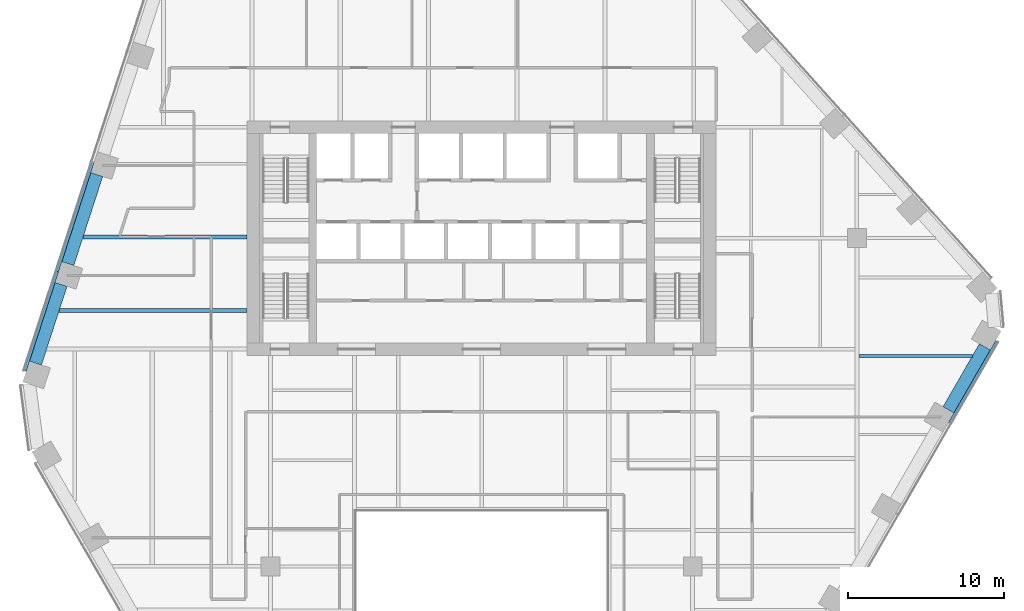
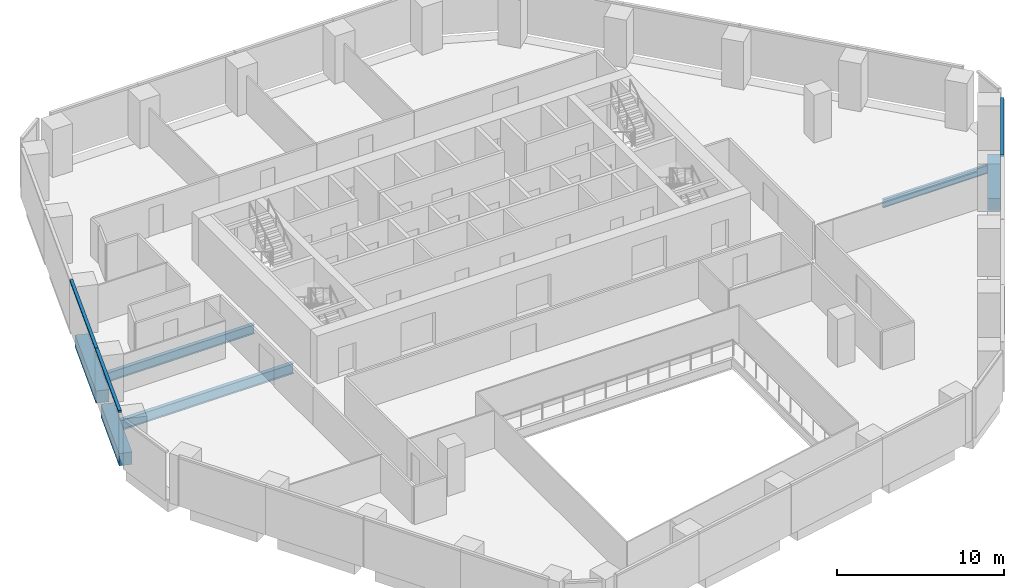
# One storey, part 6 of 16: 6 beams, 3 members, 2 elements without a shape of their own.
"""IFC4 building model written with IfcOpenShell, lengths in metres."""

import ifcopenshell
import ifcopenshell.guid

model = None  # the IFC model being written
_history = None  # IfcOwnerHistory: only IFC2X3 demands one
_inside = {}  # id of a spatial element -> (the spatial element, [elements in it])
_under = {}  # id of a project, library or spatial element -> (it, [spatial elements below it])
_declared = {}  # id of a project -> (the project, [libraries it declares])
_typed = {}  # id of a type object -> (the type object, [elements of that type])
_made_of = {}  # id of a material, layer set ... -> (it, [elements and type objects made of it])


def new_model(schema):
    """Start an empty IFC model of exactly this schema.

    Asked for "IFC4X3", IfcOpenShell would pick the latest addendum, in which some entities
    have other attributes; the version numbers below select the first issue.
    IFC2X3 requires an IfcOwnerHistory on every rooted entity: one is made here for all.
    """
    global model, _history
    if schema == "IFC4X3":
        model = ifcopenshell.file(schema_version=(4, 3, 0, 0))
    else:
        model = ifcopenshell.file(schema=schema)
    _inside.clear()
    _under.clear()
    _declared.clear()
    _typed.clear()
    _made_of.clear()
    _history = None
    if model.schema == "IFC2X3":
        org = make("IfcOrganization", Name="unknown")
        user = make(
            "IfcPersonAndOrganization",
            ThePerson=make("IfcPerson", FamilyName="unknown"),
            TheOrganization=org,
        )
        app = make(
            "IfcApplication",
            ApplicationDeveloper=org,
            Version="unknown",
            ApplicationFullName="unknown",
            ApplicationIdentifier="unknown",
        )
        _history = make(
            "IfcOwnerHistory",
            OwningUser=user,
            OwningApplication=app,
            ChangeAction="ADDED",
            CreationDate=0,
        )
    return model


def make(cls, **values):
    """One entity of the class cls with the attributes given. An attribute that is None is left unset."""
    return model.create_entity(
        cls, **{name: value for name, value in values.items() if value is not None}
    )


def rooted(cls, **values):
    """An entity with a GlobalId (a new one), such as an element, a storey or a relation."""
    return make(cls, GlobalId=ifcopenshell.guid.new(), OwnerHistory=_history, **values)


def si_unit(unit_type, name, prefix=None):
    """IfcSIUnit, for example si_unit("LENGTHUNIT", "METRE", prefix="MILLI")."""
    return make("IfcSIUnit", UnitType=unit_type, Prefix=prefix, Name=name)


def assignment(units):
    """IfcUnitAssignment: the units of a project."""
    return None if units is None else make("IfcUnitAssignment", Units=units)


def point(xyz):
    """IfcCartesianPoint."""
    return None if xyz is None else make("IfcCartesianPoint", Coordinates=xyz)


def direction(xyz):
    """IfcDirection."""
    return None if xyz is None else make("IfcDirection", DirectionRatios=xyz)


def frame(location, z_axis=None, x_axis=None):
    """IfcAxis2Placement3D, a coordinate frame: its origin and axes. An axis left out is left unset."""
    return make(
        "IfcAxis2Placement3D",
        Location=point(location),
        Axis=direction(z_axis),
        RefDirection=direction(x_axis),
    )


def frame_2d(location, x_axis=None):
    """IfcAxis2Placement2D, a coordinate frame in the plane: its origin and x axis."""
    return make(
        "IfcAxis2Placement2D", Location=point(location), RefDirection=direction(x_axis)
    )


def origin():
    """The frame at (0, 0, 0) with its axes left unset."""
    return frame((0.0, 0.0, 0.0))


def origin_2d():
    """The frame at (0, 0) in the plane with its x axis left unset."""
    return frame_2d((0.0, 0.0))


def place(relative_to, where):
    """IfcLocalPlacement: puts the frame where relative to a parent placement (None: the world)."""
    return make(
        "IfcLocalPlacement", PlacementRelTo=relative_to, RelativePlacement=where
    )


def context(
    kind, dimensions, precision=None, world=None, true_north=None, identifier=None
):
    """IfcGeometricRepresentationContext, for example the 3D "Model" context."""
    return make(
        "IfcGeometricRepresentationContext",
        ContextIdentifier=identifier,
        ContextType=kind,
        CoordinateSpaceDimension=dimensions,
        Precision=precision,
        WorldCoordinateSystem=world,
        TrueNorth=true_north,
    )


def subcontext(parent, identifier, kind, view, scale=None):
    """IfcGeometricRepresentationSubContext, for example "Body" below "Model"."""
    return make(
        "IfcGeometricRepresentationSubContext",
        ContextIdentifier=identifier,
        ContextType=kind,
        ParentContext=parent,
        TargetScale=scale,
        TargetView=view,
    )


def project(units=None, contexts=None):
    """IfcProject with its units and contexts."""
    return rooted(
        "IfcProject",
        Name="project",
        RepresentationContexts=contexts,
        UnitsInContext=assignment(units),
    )


def spatial(cls, under=None, at=None, **own):
    """A site, building, storey or space (cls), placed at a placement, below another one or the project."""
    s = rooted(cls, ObjectPlacement=at, **own)
    if under is not None:
        _under.setdefault(under.id(), (under, []))[1].append(s)
    return s


def profile(cls, at=None, kind="AREA", **sizes):
    """A parametric profile (cls). Its sizes go by their IFC names, for example OverallWidth=200.0."""
    return make(cls, ProfileType=kind, Position=at, **sizes)


def rectangle(**sizes):
    """IfcRectangleProfileDef."""
    return profile("IfcRectangleProfileDef", **sizes)


def i_section(**sizes):
    """IfcIShapeProfileDef."""
    return profile("IfcIShapeProfileDef", **sizes)


def extrude(swept, where, along, depth):
    """IfcExtrudedAreaSolid: the profile swept, set in the frame where, extruded along a direction by depth."""
    return make(
        "IfcExtrudedAreaSolid",
        SweptArea=swept,
        Position=where,
        ExtrudedDirection=direction(along),
        Depth=depth,
    )


def shape(context_of_items, identifier, shape_type, items):
    """IfcShapeRepresentation: the items that make up one representation, for example the "Body"."""
    return make(
        "IfcShapeRepresentation",
        ContextOfItems=context_of_items,
        RepresentationIdentifier=identifier,
        RepresentationType=shape_type,
        Items=items,
    )


def material(Name=None, Category=None):
    """IfcMaterial."""
    return make("IfcMaterial", Name=Name, Category=Category)


def layer(
    of_material, thickness, ventilated=None, Name=None, Category=None, Priority=None
):
    """IfcMaterialLayer: one layer of a wall or slab, of a material (None: an air gap)."""
    return make(
        "IfcMaterialLayer",
        Material=of_material,
        LayerThickness=thickness,
        IsVentilated=ventilated,
        Name=Name,
        Category=Category,
        Priority=Priority,
    )


def layer_set(layers, Name=None):
    """IfcMaterialLayerSet."""
    return make("IfcMaterialLayerSet", MaterialLayers=layers, LayerSetName=Name)


def material_profile(
    of_material, cross_section, Name=None, Category=None, Priority=None
):
    """IfcMaterialProfile: a cross section and its material."""
    return make(
        "IfcMaterialProfile",
        Name=Name,
        Material=of_material,
        Profile=cross_section,
        Priority=Priority,
        Category=Category,
    )


def profile_set(profiles, Name=None, composite=None):
    """IfcMaterialProfileSet."""
    return make(
        "IfcMaterialProfileSet",
        Name=Name,
        MaterialProfiles=profiles,
        CompositeProfile=composite,
    )


def made_of(thing, what):
    """Note that an element or type object is made of a material, layer set ...; save() writes the relation."""
    if what is not None:
        _made_of.setdefault(what.id(), (what, []))[1].append(thing)
    return thing


def type_object(cls, material=None, **own):
    """A type object (cls), such as IfcWallType, which elements share."""
    return made_of(rooted(cls, **own), material)


def element(
    cls,
    number,
    at=None,
    inside=None,
    cuts=None,
    type_object=None,
    material=None,
    context=None,
    identifier="Body",
    shape_type=None,
    held_by="IfcProductDefinitionShape",
    body=None,
    shapes=None,
    **own,
):
    """One element of the class cls, such as IfcWall. Its Tag is "e" and its number.

    at: its placement. inside: the storey or other place that contains it. cuts: it is an
    opening in that element (IfcRelVoidsElement). A single representation is given by context,
    identifier, shape_type and body (its items); several are given by shapes. held_by: the class
    of the entity that holds the representations. save() writes the other relations.
    """
    e = rooted(cls, Tag="e%d" % number, ObjectPlacement=at, **own)
    if body is not None:
        shapes = [shape(context, identifier, shape_type, body)]
    if shapes is not None:
        e.Representation = make(held_by, Representations=shapes)
    if inside is not None:
        _inside.setdefault(inside.id(), (inside, []))[1].append(e)
    if cuts is not None:
        rooted(
            "IfcRelVoidsElement", RelatingBuildingElement=cuts, RelatedOpeningElement=e
        )
    if type_object is not None:
        _typed.setdefault(type_object.id(), (type_object, []))[1].append(e)
    return made_of(e, material)


def aggregate(whole, parts):
    """IfcRelAggregates: a whole, such as a stair, and the parts it consists of."""
    return rooted("IfcRelAggregates", RelatingObject=whole, RelatedObjects=parts)


def save(model, path):
    """Write the relations noted so far, then the file.

    IfcRelAggregates (storeys below a building ...), IfcRelContainedInSpatialStructure (elements
    in a storey), IfcRelDefinesByType, IfcRelAssociatesMaterial and IfcRelDeclares: one each for
    every whole, place, type object, material and project.
    """
    for whole, parts in _under.values():
        aggregate(whole, parts)
    for where, things in _inside.values():
        rooted(
            "IfcRelContainedInSpatialStructure",
            RelatedElements=things,
            RelatingStructure=where,
        )
    for kind, things in _typed.values():
        rooted("IfcRelDefinesByType", RelatedObjects=things, RelatingType=kind)
    for what, things in _made_of.values():
        rooted("IfcRelAssociatesMaterial", RelatedObjects=things, RelatingMaterial=what)
    for by, libraries in _declared.values():
        rooted("IfcRelDeclares", RelatingContext=by, RelatedDefinitions=libraries)
    model.write(path)


model = new_model("IFC4")

# Units and contexts
model_context = context("Model", 3, precision=1e-05, world=origin(), true_north=direction((0.0, 1.0)))
body_context = subcontext(model_context, "Body", "Model", "MODEL_VIEW")
ifc_project = project(units=[si_unit("LENGTHUNIT", "METRE"), si_unit("AREAUNIT", "SQUARE_METRE"), si_unit("VOLUMEUNIT", "CUBIC_METRE"), si_unit("PLANEANGLEUNIT", "RADIAN"), si_unit("MASSUNIT", "GRAM", prefix="KILO")], contexts=[model_context])

# Site, building, storey
site_placement = place(None, origin())
site = spatial("IfcSite", under=ifc_project, at=site_placement, CompositionType="ELEMENT")
building_placement = place(site_placement, origin())
building = spatial("IfcBuilding", under=site, at=building_placement, Name="Isthmus Gate Tower", CompositionType="ELEMENT")
storey_placement = place(building_placement, frame((0.0, 0.0, 148.050048828125)))
storey = spatial("IfcBuildingStorey", under=building, at=storey_placement, Name="L36", CompositionType="ELEMENT", Elevation=148.050048828125)

# Curtain wall, members
ifc_material_1 = material(Name="Aluminium, pale champagne anodised", Category="aluminium")
ifc_layer = layer(ifc_material_1, 0.199951171875)
ifc_layer_set = layer_set([ifc_layer], Name="CW-1 UNITISED CURTAIN WALL 200 DEEP")
curtain_wall_type = type_object("IfcCurtainWallType", Name="CW-1 UNITISED CURTAIN WALL 200 DEEP", PredefinedType="NOTDEFINED", material=ifc_layer_set)
curtain_wall_1_placement = place(storey_placement, origin())
curtain_wall_1 = element("IfcCurtainWall", 1, at=curtain_wall_1_placement, inside=storey, type_object=curtain_wall_type, Name="CW-1 NW L36", PredefinedType="NOTDEFINED")
ifc_material_2 = material(Name="Aluminium, pale champagne anodised", Category="aluminium")
ifc_material_profile_1 = material_profile(ifc_material_2, rectangle(XDim=0.199951171875, YDim=0.139892578125, at=origin_2d()), Name="200x140")
ifc_profile_set_1 = profile_set([ifc_material_profile_1], Name="Aluminium, pale champagne anodised")
member_type = type_object("IfcMemberType", Name="CW-1 TRANSOM 200 X 140", PredefinedType="USERDEFINED", material=ifc_profile_set_1)
member_1_placement = place(storey_placement, frame((-24.896240234375, 12.33056640625, 3.579833984375), z_axis=(-0.309025074527, -0.951053890857, 0.0), x_axis=(0.951053890857, -0.309025074527, 0.0)))
member_1 = element("IfcMember", 2, at=member_1_placement, type_object=member_type, Name="CW-1 transom", ObjectType="TRANSOM", PredefinedType="USERDEFINED", context=body_context, shape_type="SweptSolid", body=[
    extrude(rectangle(XDim=0.199951171875, YDim=0.139892578125, at=origin_2d()), origin(), (0.0, 0.0, 1.0), 7.330810546875),
])
member_2_placement = place(storey_placement, frame((-27.16162109375, 5.358642578125, 3.579833984375), z_axis=(-0.309026665985, -0.951053373744, 0.0), x_axis=(0.951053373744, -0.309026665985, 0.0)))
member_2 = element("IfcMember", 3, at=member_2_placement, type_object=member_type, Name="CW-1 transom", ObjectType="TRANSOM", PredefinedType="USERDEFINED", context=body_context, shape_type="SweptSolid", body=[
    extrude(rectangle(XDim=0.199951171875, YDim=0.139892578125, at=origin_2d()), origin(), (0.0, 0.0, 1.0), 6.690673828125),
])
aggregate(curtain_wall_1, [member_1, member_2])

# Curtain wall, member
curtain_wall_2_placement = place(storey_placement, origin())
curtain_wall_2 = element("IfcCurtainWall", 4, at=curtain_wall_2_placement, inside=storey, type_object=curtain_wall_type, Name="CW-1 SE L36", PredefinedType="NOTDEFINED")
member_3_placement = place(storey_placement, frame((29.941162109375, -4.34033203125, 3.579833984375), z_axis=(0.499997231551, 0.866027002143, 0.0), x_axis=(-0.866027002143, 0.499997231551, 0.0)))
member_3 = element("IfcMember", 5, at=member_3_placement, type_object=member_type, Name="CW-1 transom", ObjectType="TRANSOM", PredefinedType="USERDEFINED", context=body_context, shape_type="SweptSolid", body=[
    extrude(rectangle(XDim=0.199951171875, YDim=0.139892578125, at=origin_2d()), origin(), (0.0, 0.0, 1.0), 6.05029296875),
])
aggregate(curtain_wall_2, [member_3])

# Beams
ifc_material_3 = material(Name="Concrete f'c 60 MPa", Category="concrete")
ifc_material_profile_2 = material_profile(ifc_material_3, rectangle(XDim=0.800048828125, YDim=0.89990234375, at=origin_2d()), Name="RC 800X900")
ifc_profile_set_2 = profile_set([ifc_material_profile_2], Name="Concrete f'c 60 MPa")
beam_type_1 = type_object("IfcBeamType", Name="RC SPANDREL 800 X 900", PredefinedType="SPANDREL", material=ifc_profile_set_2)
beam_1_placement = place(storey_placement, frame((32.183349609375, 0.54296875, -0.449951171875), z_axis=(-0.500023913295, -0.866011596997, 0.0), x_axis=(0.866011596997, -0.500023913295, 0.0)))
element("IfcBeam", 6, at=beam_1_placement, inside=storey, type_object=beam_type_1, Name="str-spandrel-L36-06", PredefinedType="SPANDREL", context=body_context, shape_type="SweptSolid", body=[
    extrude(rectangle(XDim=0.800048828125, YDim=0.89990234375, at=origin_2d()), origin(), (0.0, 0.0, 1.0), 4.650146484375),
])
beam_2_placement = place(storey_placement, frame((-28.537353515625, -0.493408203125, -0.449951171875), z_axis=(0.309033901013, 0.951051022829, 0.0), x_axis=(-0.951051022829, 0.309033901013, 0.0)))
element("IfcBeam", 7, at=beam_2_placement, inside=storey, type_object=beam_type_1, Name="str-spandrel-L36-21", PredefinedType="SPANDREL", context=body_context, shape_type="SweptSolid", body=[
    extrude(rectangle(XDim=0.800048828125, YDim=0.89990234375, at=origin_2d()), origin(), (0.0, 0.0, 1.0), 5.290771484375),
])
beam_3_placement = place(storey_placement, frame((-26.4697265625, 5.869873046875, -0.449951171875), z_axis=(0.309029860788, 0.951052335648, 0.0), x_axis=(-0.951052335648, 0.309029860788, 0.0)))
element("IfcBeam", 8, at=beam_3_placement, inside=storey, type_object=beam_type_1, Name="str-spandrel-L36-22", PredefinedType="SPANDREL", context=body_context, shape_type="SweptSolid", body=[
    extrude(rectangle(XDim=0.800048828125, YDim=0.89990234375, at=origin_2d()), origin(), (0.0, 0.0, 1.0), 5.99072265625),
])
ifc_material_4 = material(Name="Structural steel ASTM A992 Gr 50", Category="steel")
ifc_material_profile_3 = material_profile(ifc_material_4, i_section(OverallWidth=0.177734375, OverallDepth=0.60009765625, WebThickness=0.009521484375, FlangeThickness=0.0126953125, at=origin_2d()), Name="W24X55")
ifc_profile_set_3 = profile_set([ifc_material_profile_3], Name="Structural steel ASTM A992 Gr 50")
beam_type_2 = type_object("IfcBeamType", Name="STEEL FLOOR BEAM W24X55", PredefinedType="JOIST", material=ifc_profile_set_3)
beam_4_placement = place(storey_placement, frame((24.13330078125, -0.037353515625, -0.4501953125), z_axis=(1.0, 0.0, 0.0), x_axis=(0.0, 1.0, 0.0)))
element("IfcBeam", 9, at=beam_4_placement, inside=storey, type_object=beam_type_2, Name="str-beam-L36-16-01", PredefinedType="JOIST", context=body_context, shape_type="SweptSolid", body=[
    extrude(i_section(OverallWidth=0.177734375, OverallDepth=0.60009765625, WebThickness=0.009521484375, FlangeThickness=0.0126953125, at=origin_2d()), origin(), (0.0, 0.0, 1.0), 7.2529296875),
])
ifc_material_5 = material(Name="Structural steel ASTM A992 Gr 50", Category="steel")
ifc_material_profile_4 = material_profile(ifc_material_5, i_section(OverallWidth=0.25390625, OverallDepth=0.679443359375, WebThickness=0.010986328125, FlangeThickness=0.015869140625, at=origin_2d()), Name="W27X84")
ifc_profile_set_4 = profile_set([ifc_material_profile_4], Name="Structural steel ASTM A992 Gr 50")
beam_type_3 = type_object("IfcBeamType", Name="STEEL FLOOR BEAM W27X84", PredefinedType="JOIST", material=ifc_profile_set_4)
beam_5_placement = place(storey_placement, frame((-25.498046875, 7.56591796875, -0.48974609375), z_axis=(1.0, 0.0, 0.0), x_axis=(0.0, 1.0, 0.0)))
element("IfcBeam", 10, at=beam_5_placement, inside=storey, type_object=beam_type_3, Name="str-beam-L36-01-01", PredefinedType="JOIST", context=body_context, shape_type="SweptSolid", body=[
    extrude(i_section(OverallWidth=0.25390625, OverallDepth=0.679443359375, WebThickness=0.010986328125, FlangeThickness=0.015869140625, at=origin_2d()), origin(), (0.0, 0.0, 1.0), 10.498046875),
])
ifc_material_6 = material(Name="Structural steel ASTM A992 Gr 50", Category="steel")
ifc_material_profile_5 = material_profile(ifc_material_6, i_section(OverallWidth=0.263427734375, OverallDepth=0.749267578125, WebThickness=0.0126953125, FlangeThickness=0.015869140625, at=origin_2d()), Name="W30X90")
ifc_profile_set_5 = profile_set([ifc_material_profile_5], Name="Structural steel ASTM A992 Gr 50")
beam_type_4 = type_object("IfcBeamType", Name="STEEL FLOOR BEAM W30X90", PredefinedType="JOIST", material=ifc_profile_set_5)
beam_6_placement = place(storey_placement, frame((-27.021728515625, 2.87646484375, -0.524658203125), z_axis=(1.0, 0.0, 0.0), x_axis=(0.0, 1.0, 0.0)))
element("IfcBeam", 11, at=beam_6_placement, inside=storey, type_object=beam_type_4, Name="str-beam-L36-01-00", PredefinedType="JOIST", context=body_context, shape_type="SweptSolid", body=[
    extrude(i_section(OverallWidth=0.263427734375, OverallDepth=0.749267578125, WebThickness=0.0126953125, FlangeThickness=0.015869140625, at=origin_2d()), origin(), (0.0, 0.0, 1.0), 12.021728515625),
])

save(model, "model.ifc")
